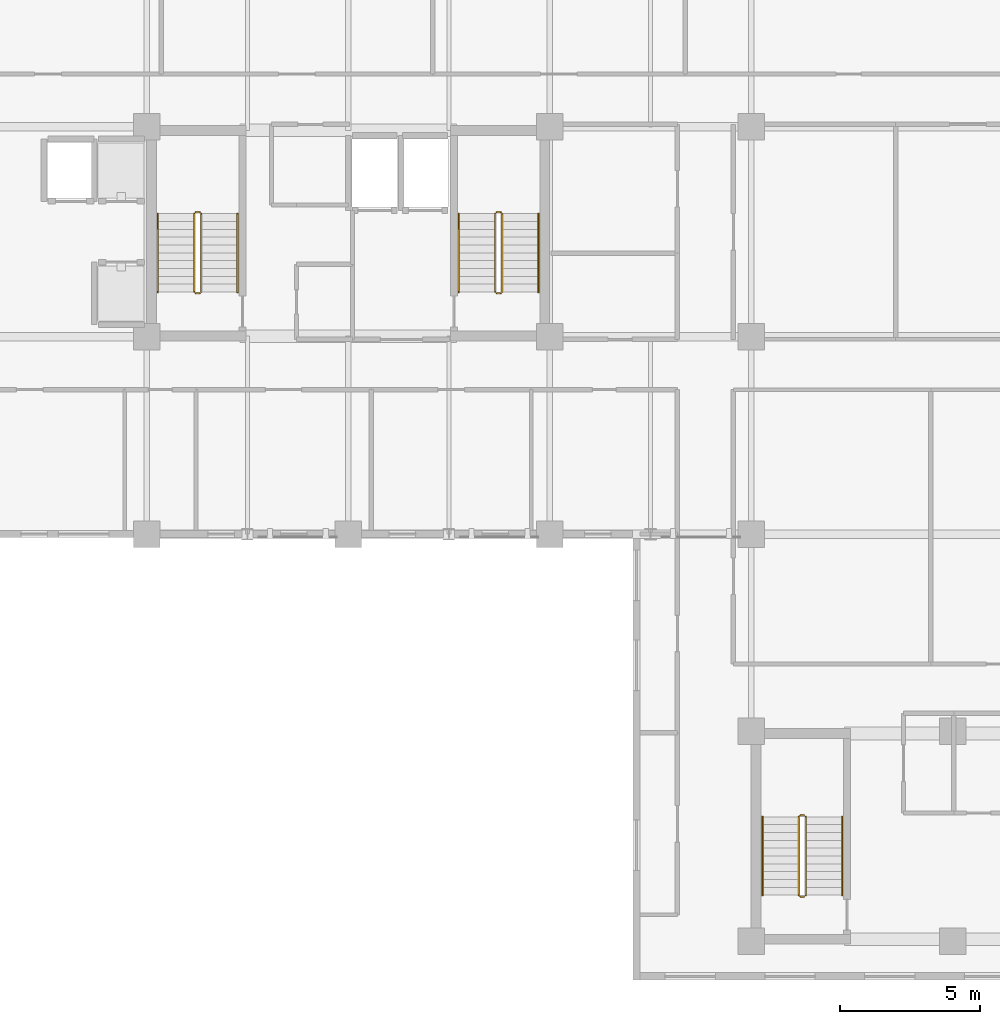
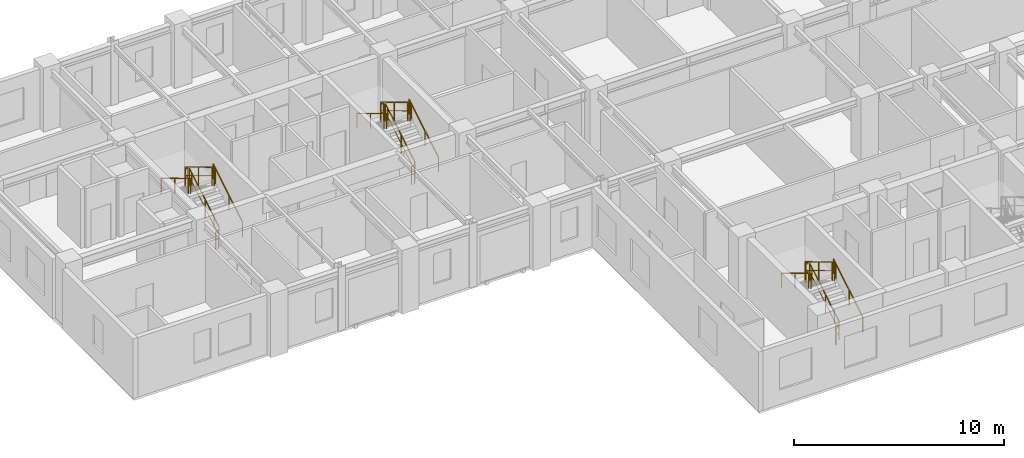
# One storey, part 11 of 14: 18 railings.
"""IFC4 building model written with IfcOpenShell, lengths in metres."""

from ifc_helpers import new_model, si_unit, direction, frame, origin, origin_2d, place, context, subcontext, project, spatial, rectangle, extrude, material, type_object, element, save


model = new_model("IFC4")

# Units and contexts
model_context = context("Model", 3, precision=1e-05, world=origin(), true_north=direction((0.0, 1.0)))
body_context = subcontext(model_context, "Body", "Model", "MODEL_VIEW")
ifc_project = project(units=[si_unit("LENGTHUNIT", "METRE"), si_unit("AREAUNIT", "SQUARE_METRE"), si_unit("VOLUMEUNIT", "CUBIC_METRE"), si_unit("PLANEANGLEUNIT", "RADIAN"), si_unit("MASSUNIT", "GRAM", prefix="KILO")], contexts=[model_context])

# Site, building, storey
site_placement = place(None, origin())
site = spatial("IfcSite", under=ifc_project, at=site_placement, CompositionType="ELEMENT")
building_placement = place(site_placement, origin())
building = spatial("IfcBuilding", under=site, at=building_placement, Name="Kaliganga Portal Commons", CompositionType="ELEMENT")
storey_placement = place(building_placement, frame((0.0, 0.0, 220.300048828125)))
storey = spatial("IfcBuildingStorey", under=building, at=storey_placement, Name="L56", CompositionType="ELEMENT", Elevation=220.300048828125)

# Railings
ifc_material_1 = material(Name="Galvanized Painted Steel Balustrade", Category="steel")
railing_type_1 = type_object("IfcRailingType", Name="RLG-STAIR-GRD", PredefinedType="GUARDRAIL", material=ifc_material_1)
railing_1_placement = place(storey_placement, frame((16.35009765625, 30.25, 0.168212890625)))
element("IfcRailing", 1, at=railing_1_placement, inside=storey, type_object=railing_type_1, Name="L56 ST-A1 stair guard 1", PredefinedType="GUARDRAIL", context=body_context, shape_type="SweptSolid", body=[
    extrude(rectangle(XDim=0.048095703125, YDim=0.048095703125, at=origin_2d()), frame((0.0, 0.0, 1.072021484375), z_axis=(0.0, 0.857275202839, 0.514858452973), x_axis=(-1.0, 0.0, 0.0)), (0.0, 0.0, 1.0), 3.26611328125),
    extrude(rectangle(XDim=0.028076171875, YDim=0.028076171875, at=origin_2d()), frame((0.0, 0.0, 0.572021484375), z_axis=(0.0, 0.857275202839, 0.514858452973), x_axis=(-1.0, 0.0, 0.0)), (0.0, 0.0, 1.0), 3.26611328125),
    extrude(rectangle(XDim=0.0419921875, YDim=0.0419921875, at=origin_2d()), origin(), (0.0, 0.0, 1.0), 1.052001953125),
    extrude(rectangle(XDim=0.0419921875, YDim=0.0419921875, at=origin_2d()), frame((0.0, 1.285888671875, 0.772216796875)), (0.0, 0.0, 1.0), 1.052001953125),
    extrude(rectangle(XDim=0.0419921875, YDim=0.0419921875, at=origin_2d()), frame((0.0, 2.57177734375, 1.544677734375)), (0.0, 0.0, 1.0), 1.052001953125),
    extrude(rectangle(XDim=0.0419921875, YDim=0.0419921875, at=origin_2d()), frame((0.0, 2.800048828125, 1.681640625)), (0.0, 0.0, 1.0), 1.052001953125),
])
railing_2_placement = place(storey_placement, frame((16.300048828125, 33.10009765625, 1.849853515625)))
element("IfcRailing", 2, at=railing_2_placement, inside=storey, type_object=railing_type_1, Name="L56 ST-A1 stair guard 2", PredefinedType="GUARDRAIL", context=body_context, shape_type="SweptSolid", body=[
    extrude(rectangle(XDim=0.048095703125, YDim=0.048095703125, at=origin_2d()), frame((0.0, 0.0, 1.076171875), z_axis=(-1.0, 0.0, 0.0), x_axis=(0.0, -1.0, 0.0)), (0.0, 0.0, 1.0), 0.150146484375),
    extrude(rectangle(XDim=0.028076171875, YDim=0.028076171875, at=origin_2d()), frame((0.0, 0.0, 0.572021484375), z_axis=(-1.0, 0.0, 0.0), x_axis=(0.0, -1.0, 0.0)), (0.0, 0.0, 1.0), 0.150146484375),
    extrude(rectangle(XDim=0.0419921875, YDim=0.0419921875, at=origin_2d()), origin(), (0.0, 0.0, 1.0), 1.052001953125),
    extrude(rectangle(XDim=0.0419921875, YDim=0.0419921875, at=origin_2d()), frame((-0.150146484375, 0.0, 0.0)), (0.0, 0.0, 1.0), 1.052001953125),
])
railing_3_placement = place(storey_placement, frame((16.10009765625, 33.050048828125, 2.01806640625)))
element("IfcRailing", 3, at=railing_3_placement, inside=storey, type_object=railing_type_1, Name="L56 ST-A1 stair guard 3", PredefinedType="GUARDRAIL", context=body_context, shape_type="SweptSolid", body=[
    extrude(rectangle(XDim=0.048095703125, YDim=0.048095703125, at=origin_2d()), frame((0.0, 0.0, 1.072021484375), z_axis=(0.0, -0.857242210791, 0.514913383045), x_axis=(1.0, 0.0, 0.0)), (0.0, 0.0, 1.0), 3.266357421875),
    extrude(rectangle(XDim=0.028076171875, YDim=0.028076171875, at=origin_2d()), frame((0.0, 0.0, 0.572021484375), z_axis=(0.0, -0.857242210791, 0.514913383045), x_axis=(1.0, 0.0, 0.0)), (0.0, 0.0, 1.0), 3.266357421875),
    extrude(rectangle(XDim=0.0419921875, YDim=0.0419921875, at=origin_2d()), origin(), (0.0, 0.0, 1.0), 1.052001953125),
    extrude(rectangle(XDim=0.0419921875, YDim=0.0419921875, at=origin_2d()), frame((0.0, -1.285888671875, 0.7724609375)), (0.0, 0.0, 1.0), 1.052001953125),
    extrude(rectangle(XDim=0.0419921875, YDim=0.0419921875, at=origin_2d()), frame((0.0, -2.57177734375, 1.544677734375)), (0.0, 0.0, 1.0), 1.052001953125),
    extrude(rectangle(XDim=0.0419921875, YDim=0.0419921875, at=origin_2d()), frame((0.0, -2.800048828125, 1.681884765625)), (0.0, 0.0, 1.0), 1.052001953125),
])
railing_4_placement = place(storey_placement, frame((16.300048828125, 30.199951171875, 0.0)))
element("IfcRailing", 4, at=railing_4_placement, inside=storey, type_object=railing_type_1, Name="L56 ST-A1 stair guard 4", PredefinedType="GUARDRAIL", context=body_context, shape_type="SweptSolid", body=[
    extrude(rectangle(XDim=0.048095703125, YDim=0.048095703125, at=origin_2d()), frame((0.0, 0.0, 1.076171875), z_axis=(-1.0, 0.0, 0.0), x_axis=(0.0, -1.0, 0.0)), (0.0, 0.0, 1.0), 0.150146484375),
    extrude(rectangle(XDim=0.028076171875, YDim=0.028076171875, at=origin_2d()), frame((0.0, 0.0, 0.572021484375), z_axis=(-1.0, 0.0, 0.0), x_axis=(0.0, -1.0, 0.0)), (0.0, 0.0, 1.0), 0.150146484375),
    extrude(rectangle(XDim=0.0419921875, YDim=0.0419921875, at=origin_2d()), origin(), (0.0, 0.0, 1.0), 1.052001953125),
    extrude(rectangle(XDim=0.0419921875, YDim=0.0419921875, at=origin_2d()), frame((-0.150146484375, 0.0, 0.0)), (0.0, 0.0, 1.0), 1.052001953125),
])
railing_5_placement = place(storey_placement, frame((27.10009765625, 30.25, 0.168212890625)))
element("IfcRailing", 5, at=railing_5_placement, inside=storey, type_object=railing_type_1, Name="L56 ST-A2 stair guard 1", PredefinedType="GUARDRAIL", context=body_context, shape_type="SweptSolid", body=[
    extrude(rectangle(XDim=0.048095703125, YDim=0.048095703125, at=origin_2d()), frame((0.0, 0.0, 1.072021484375), z_axis=(0.0, 0.857275202839, 0.514858452973), x_axis=(-1.0, 0.0, 0.0)), (0.0, 0.0, 1.0), 3.26611328125),
    extrude(rectangle(XDim=0.028076171875, YDim=0.028076171875, at=origin_2d()), frame((0.0, 0.0, 0.572021484375), z_axis=(0.0, 0.857275202839, 0.514858452973), x_axis=(-1.0, 0.0, 0.0)), (0.0, 0.0, 1.0), 3.26611328125),
    extrude(rectangle(XDim=0.0419921875, YDim=0.0419921875, at=origin_2d()), origin(), (0.0, 0.0, 1.0), 1.052001953125),
    extrude(rectangle(XDim=0.0419921875, YDim=0.0419921875, at=origin_2d()), frame((0.0, 1.285888671875, 0.772216796875)), (0.0, 0.0, 1.0), 1.052001953125),
    extrude(rectangle(XDim=0.0419921875, YDim=0.0419921875, at=origin_2d()), frame((0.0, 2.57177734375, 1.544677734375)), (0.0, 0.0, 1.0), 1.052001953125),
    extrude(rectangle(XDim=0.0419921875, YDim=0.0419921875, at=origin_2d()), frame((0.0, 2.800048828125, 1.681640625)), (0.0, 0.0, 1.0), 1.052001953125),
])
railing_6_placement = place(storey_placement, frame((27.050048828125, 33.10009765625, 1.849853515625)))
element("IfcRailing", 6, at=railing_6_placement, inside=storey, type_object=railing_type_1, Name="L56 ST-A2 stair guard 2", PredefinedType="GUARDRAIL", context=body_context, shape_type="SweptSolid", body=[
    extrude(rectangle(XDim=0.048095703125, YDim=0.048095703125, at=origin_2d()), frame((0.0, 0.0, 1.076171875), z_axis=(-1.0, 0.0, 0.0), x_axis=(0.0, -1.0, 0.0)), (0.0, 0.0, 1.0), 0.150146484375),
    extrude(rectangle(XDim=0.028076171875, YDim=0.028076171875, at=origin_2d()), frame((0.0, 0.0, 0.572021484375), z_axis=(-1.0, 0.0, 0.0), x_axis=(0.0, -1.0, 0.0)), (0.0, 0.0, 1.0), 0.150146484375),
    extrude(rectangle(XDim=0.0419921875, YDim=0.0419921875, at=origin_2d()), origin(), (0.0, 0.0, 1.0), 1.052001953125),
    extrude(rectangle(XDim=0.0419921875, YDim=0.0419921875, at=origin_2d()), frame((-0.150146484375, 0.0, 0.0)), (0.0, 0.0, 1.0), 1.052001953125),
])
railing_7_placement = place(storey_placement, frame((26.85009765625, 33.050048828125, 2.01806640625)))
element("IfcRailing", 7, at=railing_7_placement, inside=storey, type_object=railing_type_1, Name="L56 ST-A2 stair guard 3", PredefinedType="GUARDRAIL", context=body_context, shape_type="SweptSolid", body=[
    extrude(rectangle(XDim=0.048095703125, YDim=0.048095703125, at=origin_2d()), frame((0.0, 0.0, 1.072021484375), z_axis=(0.0, -0.857242210791, 0.514913383045), x_axis=(1.0, 0.0, 0.0)), (0.0, 0.0, 1.0), 3.266357421875),
    extrude(rectangle(XDim=0.028076171875, YDim=0.028076171875, at=origin_2d()), frame((0.0, 0.0, 0.572021484375), z_axis=(0.0, -0.857242210791, 0.514913383045), x_axis=(1.0, 0.0, 0.0)), (0.0, 0.0, 1.0), 3.266357421875),
    extrude(rectangle(XDim=0.0419921875, YDim=0.0419921875, at=origin_2d()), origin(), (0.0, 0.0, 1.0), 1.052001953125),
    extrude(rectangle(XDim=0.0419921875, YDim=0.0419921875, at=origin_2d()), frame((0.0, -1.285888671875, 0.7724609375)), (0.0, 0.0, 1.0), 1.052001953125),
    extrude(rectangle(XDim=0.0419921875, YDim=0.0419921875, at=origin_2d()), frame((0.0, -2.57177734375, 1.544677734375)), (0.0, 0.0, 1.0), 1.052001953125),
    extrude(rectangle(XDim=0.0419921875, YDim=0.0419921875, at=origin_2d()), frame((0.0, -2.800048828125, 1.681884765625)), (0.0, 0.0, 1.0), 1.052001953125),
])
railing_8_placement = place(storey_placement, frame((27.050048828125, 30.199951171875, 0.0)))
element("IfcRailing", 8, at=railing_8_placement, inside=storey, type_object=railing_type_1, Name="L56 ST-A2 stair guard 4", PredefinedType="GUARDRAIL", context=body_context, shape_type="SweptSolid", body=[
    extrude(rectangle(XDim=0.048095703125, YDim=0.048095703125, at=origin_2d()), frame((0.0, 0.0, 1.076171875), z_axis=(-1.0, 0.0, 0.0), x_axis=(0.0, -1.0, 0.0)), (0.0, 0.0, 1.0), 0.150146484375),
    extrude(rectangle(XDim=0.028076171875, YDim=0.028076171875, at=origin_2d()), frame((0.0, 0.0, 0.572021484375), z_axis=(-1.0, 0.0, 0.0), x_axis=(0.0, -1.0, 0.0)), (0.0, 0.0, 1.0), 0.150146484375),
    extrude(rectangle(XDim=0.0419921875, YDim=0.0419921875, at=origin_2d()), origin(), (0.0, 0.0, 1.0), 1.052001953125),
    extrude(rectangle(XDim=0.0419921875, YDim=0.0419921875, at=origin_2d()), frame((-0.150146484375, 0.0, 0.0)), (0.0, 0.0, 1.0), 1.052001953125),
])
railing_9_placement = place(storey_placement, frame((37.949951171875, 8.699951171875, 0.168212890625)))
element("IfcRailing", 9, at=railing_9_placement, inside=storey, type_object=railing_type_1, Name="L56 ST-B1 stair guard 1", PredefinedType="GUARDRAIL", context=body_context, shape_type="SweptSolid", body=[
    extrude(rectangle(XDim=0.048095703125, YDim=0.048095703125, at=origin_2d()), frame((0.0, 0.0, 1.072021484375), z_axis=(0.0, 0.857275202839, 0.514858452973), x_axis=(-1.0, 0.0, 0.0)), (0.0, 0.0, 1.0), 3.26611328125),
    extrude(rectangle(XDim=0.028076171875, YDim=0.028076171875, at=origin_2d()), frame((0.0, 0.0, 0.572021484375), z_axis=(0.0, 0.857275202839, 0.514858452973), x_axis=(-1.0, 0.0, 0.0)), (0.0, 0.0, 1.0), 3.26611328125),
    extrude(rectangle(XDim=0.0419921875, YDim=0.0419921875, at=origin_2d()), origin(), (0.0, 0.0, 1.0), 1.052001953125),
    extrude(rectangle(XDim=0.0419921875, YDim=0.0419921875, at=origin_2d()), frame((0.0, 1.285888671875, 0.772216796875)), (0.0, 0.0, 1.0), 1.052001953125),
    extrude(rectangle(XDim=0.0419921875, YDim=0.0419921875, at=origin_2d()), frame((0.0, 2.57177734375, 1.544677734375)), (0.0, 0.0, 1.0), 1.052001953125),
    extrude(rectangle(XDim=0.0419921875, YDim=0.0419921875, at=origin_2d()), frame((0.0, 2.800048828125, 1.681640625)), (0.0, 0.0, 1.0), 1.052001953125),
])
railing_10_placement = place(storey_placement, frame((37.89990234375, 11.550048828125, 1.849853515625)))
element("IfcRailing", 10, at=railing_10_placement, inside=storey, type_object=railing_type_1, Name="L56 ST-B1 stair guard 2", PredefinedType="GUARDRAIL", context=body_context, shape_type="SweptSolid", body=[
    extrude(rectangle(XDim=0.048095703125, YDim=0.048095703125, at=origin_2d()), frame((0.0, 0.0, 1.076171875), z_axis=(-1.0, 0.0, 0.0), x_axis=(0.0, -1.0, 0.0)), (0.0, 0.0, 1.0), 0.14990234375),
    extrude(rectangle(XDim=0.028076171875, YDim=0.028076171875, at=origin_2d()), frame((0.0, 0.0, 0.572021484375), z_axis=(-1.0, 0.0, 0.0), x_axis=(0.0, -1.0, 0.0)), (0.0, 0.0, 1.0), 0.14990234375),
    extrude(rectangle(XDim=0.0419921875, YDim=0.0419921875, at=origin_2d()), frame((-0.14990234375, 0.0, 0.0)), (0.0, 0.0, 1.0), 1.052001953125),
])
railing_11_placement = place(storey_placement, frame((37.699951171875, 11.5, 2.01806640625)))
element("IfcRailing", 11, at=railing_11_placement, inside=storey, type_object=railing_type_1, Name="L56 ST-B1 stair guard 3", PredefinedType="GUARDRAIL", context=body_context, shape_type="SweptSolid", body=[
    extrude(rectangle(XDim=0.048095703125, YDim=0.048095703125, at=origin_2d()), frame((0.0, 0.0, 1.072021484375), z_axis=(0.0, -0.857242210791, 0.514913383045), x_axis=(1.0, 0.0, 0.0)), (0.0, 0.0, 1.0), 3.266357421875),
    extrude(rectangle(XDim=0.028076171875, YDim=0.028076171875, at=origin_2d()), frame((0.0, 0.0, 0.572021484375), z_axis=(0.0, -0.857242210791, 0.514913383045), x_axis=(1.0, 0.0, 0.0)), (0.0, 0.0, 1.0), 3.266357421875),
    extrude(rectangle(XDim=0.0419921875, YDim=0.0419921875, at=origin_2d()), origin(), (0.0, 0.0, 1.0), 1.052001953125),
    extrude(rectangle(XDim=0.0419921875, YDim=0.0419921875, at=origin_2d()), frame((0.0, -1.285888671875, 0.7724609375)), (0.0, 0.0, 1.0), 1.052001953125),
    extrude(rectangle(XDim=0.0419921875, YDim=0.0419921875, at=origin_2d()), frame((0.0, -2.57177734375, 1.544677734375)), (0.0, 0.0, 1.0), 1.052001953125),
    extrude(rectangle(XDim=0.0419921875, YDim=0.0419921875, at=origin_2d()), frame((0.0, -2.800048828125, 1.681884765625)), (0.0, 0.0, 1.0), 1.052001953125),
])
railing_12_placement = place(storey_placement, frame((37.89990234375, 8.64990234375, 0.0)))
element("IfcRailing", 12, at=railing_12_placement, inside=storey, type_object=railing_type_1, Name="L56 ST-B1 stair guard 4", PredefinedType="GUARDRAIL", context=body_context, shape_type="SweptSolid", body=[
    extrude(rectangle(XDim=0.048095703125, YDim=0.048095703125, at=origin_2d()), frame((0.0, 0.0, 1.076171875), z_axis=(-1.0, 0.0, 0.0), x_axis=(0.0, -1.0, 0.0)), (0.0, 0.0, 1.0), 0.14990234375),
    extrude(rectangle(XDim=0.028076171875, YDim=0.028076171875, at=origin_2d()), frame((0.0, 0.0, 0.572021484375), z_axis=(-1.0, 0.0, 0.0), x_axis=(0.0, -1.0, 0.0)), (0.0, 0.0, 1.0), 0.14990234375),
    extrude(rectangle(XDim=0.0419921875, YDim=0.0419921875, at=origin_2d()), frame((-0.14990234375, 0.0, 0.0)), (0.0, 0.0, 1.0), 1.052001953125),
])
ifc_material_2 = material(Name="Brushed Stainless Steel 316", Category="steel")
railing_type_2 = type_object("IfcRailingType", Name="RLG-STAIR-HR", PredefinedType="HANDRAIL", material=ifc_material_2)
railing_13_placement = place(storey_placement, frame((17.64990234375, 30.25, 0.168212890625)))
element("IfcRailing", 13, at=railing_13_placement, inside=storey, type_object=railing_type_2, Name="L56 ST-A1 stair handrail 1", PredefinedType="HANDRAIL", context=body_context, shape_type="SweptSolid", body=[
    extrude(rectangle(XDim=0.048095703125, YDim=0.048095703125, at=origin_2d()), frame((0.0, 0.0, 0.871826171875), z_axis=(0.0, 0.857275202839, 0.514858452973), x_axis=(-1.0, 0.0, 0.0)), (0.0, 0.0, 1.0), 3.26611328125),
    extrude(rectangle(XDim=0.0419921875, YDim=0.0419921875, at=origin_2d()), origin(), (0.0, 0.0, 1.0), 0.851806640625),
    extrude(rectangle(XDim=0.0419921875, YDim=0.0419921875, at=origin_2d()), frame((0.0, 1.285888671875, 0.772216796875)), (0.0, 0.0, 1.0), 0.851806640625),
    extrude(rectangle(XDim=0.0419921875, YDim=0.0419921875, at=origin_2d()), frame((0.0, 2.57177734375, 1.544677734375)), (0.0, 0.0, 1.0), 0.851806640625),
    extrude(rectangle(XDim=0.0419921875, YDim=0.0419921875, at=origin_2d()), frame((0.0, 2.800048828125, 1.681640625)), (0.0, 0.0, 1.0), 0.851806640625),
])
railing_14_placement = place(storey_placement, frame((14.800048828125, 33.050048828125, 2.01806640625)))
element("IfcRailing", 14, at=railing_14_placement, inside=storey, type_object=railing_type_2, Name="L56 ST-A1 stair handrail 2", PredefinedType="HANDRAIL", context=body_context, shape_type="SweptSolid", body=[
    extrude(rectangle(XDim=0.048095703125, YDim=0.048095703125, at=origin_2d()), frame((0.0, 0.0, 0.871826171875), z_axis=(0.0, -0.857242210791, 0.514913383045), x_axis=(1.0, 0.0, 0.0)), (0.0, 0.0, 1.0), 3.266357421875),
    extrude(rectangle(XDim=0.0419921875, YDim=0.0419921875, at=origin_2d()), origin(), (0.0, 0.0, 1.0), 0.851806640625),
    extrude(rectangle(XDim=0.0419921875, YDim=0.0419921875, at=origin_2d()), frame((0.0, -1.285888671875, 0.7724609375)), (0.0, 0.0, 1.0), 0.851806640625),
    extrude(rectangle(XDim=0.0419921875, YDim=0.0419921875, at=origin_2d()), frame((0.0, -2.57177734375, 1.544677734375)), (0.0, 0.0, 1.0), 0.851806640625),
    extrude(rectangle(XDim=0.0419921875, YDim=0.0419921875, at=origin_2d()), frame((0.0, -2.800048828125, 1.681884765625)), (0.0, 0.0, 1.0), 0.851806640625),
])
railing_15_placement = place(storey_placement, frame((28.39990234375, 30.25, 0.168212890625)))
element("IfcRailing", 15, at=railing_15_placement, inside=storey, type_object=railing_type_2, Name="L56 ST-A2 stair handrail 1", PredefinedType="HANDRAIL", context=body_context, shape_type="SweptSolid", body=[
    extrude(rectangle(XDim=0.048095703125, YDim=0.048095703125, at=origin_2d()), frame((0.0, 0.0, 0.871826171875), z_axis=(0.0, 0.857275202839, 0.514858452973), x_axis=(-1.0, 0.0, 0.0)), (0.0, 0.0, 1.0), 3.26611328125),
    extrude(rectangle(XDim=0.0419921875, YDim=0.0419921875, at=origin_2d()), origin(), (0.0, 0.0, 1.0), 0.851806640625),
    extrude(rectangle(XDim=0.0419921875, YDim=0.0419921875, at=origin_2d()), frame((0.0, 1.285888671875, 0.772216796875)), (0.0, 0.0, 1.0), 0.851806640625),
    extrude(rectangle(XDim=0.0419921875, YDim=0.0419921875, at=origin_2d()), frame((0.0, 2.57177734375, 1.544677734375)), (0.0, 0.0, 1.0), 0.851806640625),
    extrude(rectangle(XDim=0.0419921875, YDim=0.0419921875, at=origin_2d()), frame((0.0, 2.800048828125, 1.681640625)), (0.0, 0.0, 1.0), 0.851806640625),
])
railing_16_placement = place(storey_placement, frame((25.550048828125, 33.050048828125, 2.01806640625)))
element("IfcRailing", 16, at=railing_16_placement, inside=storey, type_object=railing_type_2, Name="L56 ST-A2 stair handrail 2", PredefinedType="HANDRAIL", context=body_context, shape_type="SweptSolid", body=[
    extrude(rectangle(XDim=0.048095703125, YDim=0.048095703125, at=origin_2d()), frame((0.0, 0.0, 0.871826171875), z_axis=(0.0, -0.857242210791, 0.514913383045), x_axis=(1.0, 0.0, 0.0)), (0.0, 0.0, 1.0), 3.266357421875),
    extrude(rectangle(XDim=0.0419921875, YDim=0.0419921875, at=origin_2d()), origin(), (0.0, 0.0, 1.0), 0.851806640625),
    extrude(rectangle(XDim=0.0419921875, YDim=0.0419921875, at=origin_2d()), frame((0.0, -1.285888671875, 0.7724609375)), (0.0, 0.0, 1.0), 0.851806640625),
    extrude(rectangle(XDim=0.0419921875, YDim=0.0419921875, at=origin_2d()), frame((0.0, -2.57177734375, 1.544677734375)), (0.0, 0.0, 1.0), 0.851806640625),
    extrude(rectangle(XDim=0.0419921875, YDim=0.0419921875, at=origin_2d()), frame((0.0, -2.800048828125, 1.681884765625)), (0.0, 0.0, 1.0), 0.851806640625),
])
railing_17_placement = place(storey_placement, frame((39.25, 8.699951171875, 0.168212890625)))
element("IfcRailing", 17, at=railing_17_placement, inside=storey, type_object=railing_type_2, Name="L56 ST-B1 stair handrail 1", PredefinedType="HANDRAIL", context=body_context, shape_type="SweptSolid", body=[
    extrude(rectangle(XDim=0.048095703125, YDim=0.048095703125, at=origin_2d()), frame((0.0, 0.0, 0.871826171875), z_axis=(0.0, 0.857275202839, 0.514858452973), x_axis=(-1.0, 0.0, 0.0)), (0.0, 0.0, 1.0), 3.26611328125),
    extrude(rectangle(XDim=0.0419921875, YDim=0.0419921875, at=origin_2d()), origin(), (0.0, 0.0, 1.0), 0.851806640625),
    extrude(rectangle(XDim=0.0419921875, YDim=0.0419921875, at=origin_2d()), frame((0.0, 1.285888671875, 0.772216796875)), (0.0, 0.0, 1.0), 0.851806640625),
    extrude(rectangle(XDim=0.0419921875, YDim=0.0419921875, at=origin_2d()), frame((0.0, 2.57177734375, 1.544677734375)), (0.0, 0.0, 1.0), 0.851806640625),
    extrude(rectangle(XDim=0.0419921875, YDim=0.0419921875, at=origin_2d()), frame((0.0, 2.800048828125, 1.681640625)), (0.0, 0.0, 1.0), 0.851806640625),
])
railing_18_placement = place(storey_placement, frame((36.39990234375, 11.5, 2.01806640625)))
element("IfcRailing", 18, at=railing_18_placement, inside=storey, type_object=railing_type_2, Name="L56 ST-B1 stair handrail 2", PredefinedType="HANDRAIL", context=body_context, shape_type="SweptSolid", body=[
    extrude(rectangle(XDim=0.048095703125, YDim=0.048095703125, at=origin_2d()), frame((0.0, 0.0, 0.871826171875), z_axis=(0.0, -0.857242210791, 0.514913383045), x_axis=(1.0, 0.0, 0.0)), (0.0, 0.0, 1.0), 3.266357421875),
    extrude(rectangle(XDim=0.0419921875, YDim=0.0419921875, at=origin_2d()), origin(), (0.0, 0.0, 1.0), 0.851806640625),
    extrude(rectangle(XDim=0.0419921875, YDim=0.0419921875, at=origin_2d()), frame((0.0, -1.285888671875, 0.7724609375)), (0.0, 0.0, 1.0), 0.851806640625),
    extrude(rectangle(XDim=0.0419921875, YDim=0.0419921875, at=origin_2d()), frame((0.0, -2.57177734375, 1.544677734375)), (0.0, 0.0, 1.0), 0.851806640625),
    extrude(rectangle(XDim=0.0419921875, YDim=0.0419921875, at=origin_2d()), frame((0.0, -2.800048828125, 1.681884765625)), (0.0, 0.0, 1.0), 0.851806640625),
])

save(model, "model.ifc")
